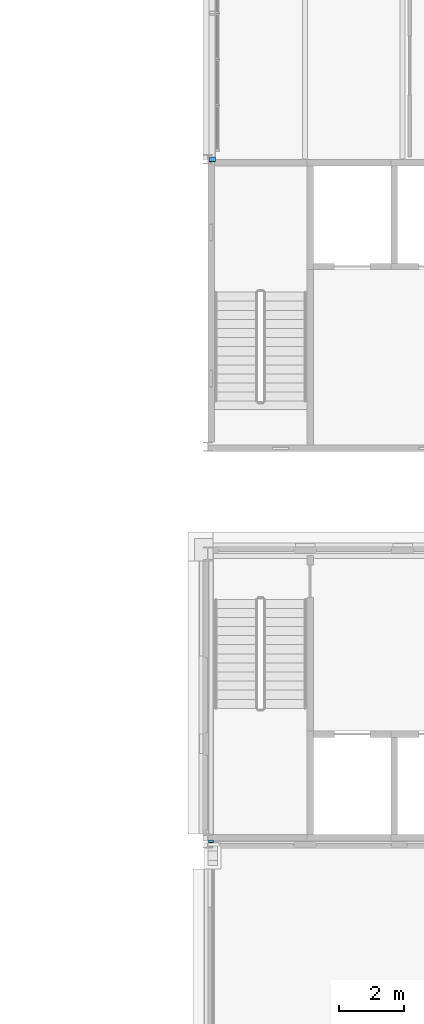
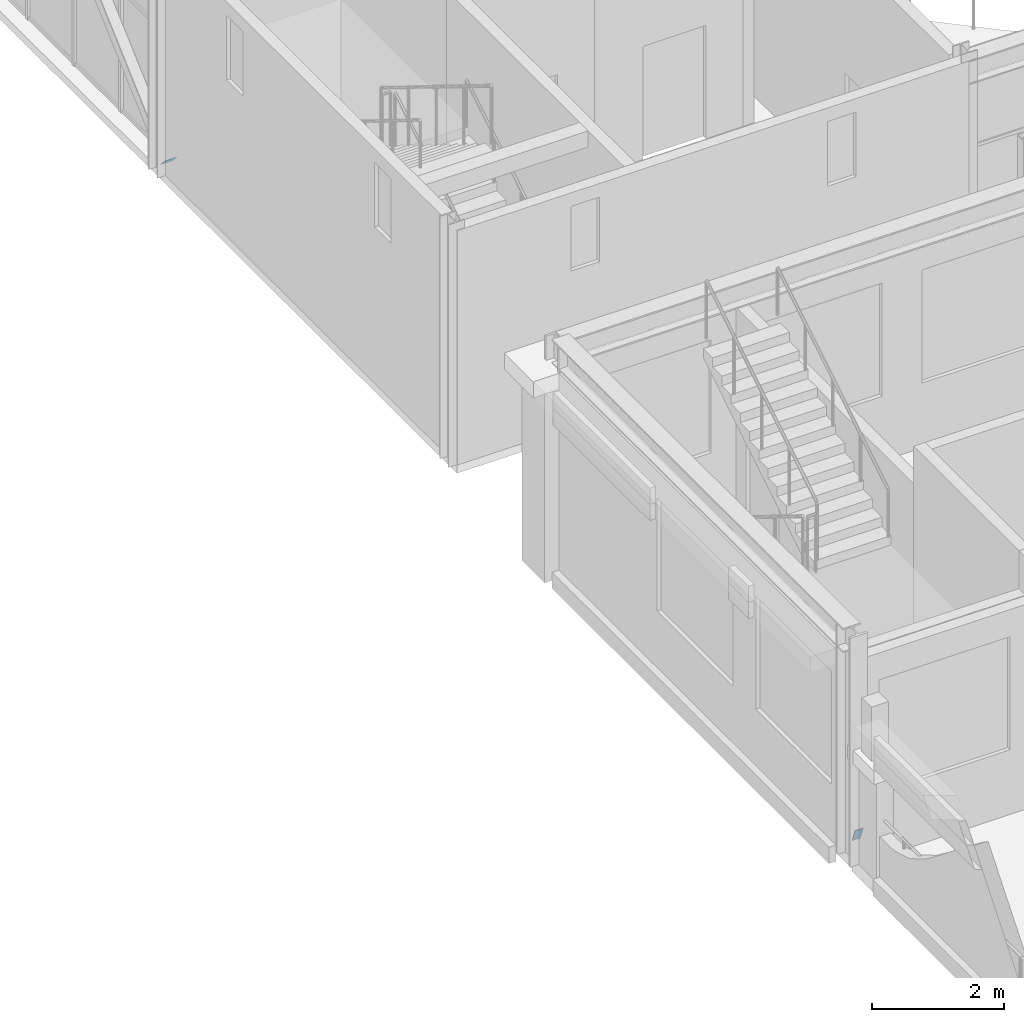
# One storey, part 58 of 70: 2 discrete accessories.
"""IFC4 building model written with IfcOpenShell, lengths in metres."""

from ifc_helpers import new_model, si_unit, direction, frame, origin, origin_2d, place, context, subcontext, project, spatial, rectangle, extrude, material, material_profile, profile_set, type_object, element, save


model = new_model("IFC4")

# Units and contexts
model_context = context("Model", 3, precision=1e-05, world=origin(), true_north=direction((0.0, 1.0)))
body_context = subcontext(model_context, "Body", "Model", "MODEL_VIEW")
ifc_project = project(units=[si_unit("LENGTHUNIT", "METRE"), si_unit("AREAUNIT", "SQUARE_METRE"), si_unit("VOLUMEUNIT", "CUBIC_METRE"), si_unit("PLANEANGLEUNIT", "RADIAN"), si_unit("MASSUNIT", "GRAM", prefix="KILO")], contexts=[model_context])

# Site, building, storey
site_placement = place(None, origin())
site = spatial("IfcSite", under=ifc_project, at=site_placement, CompositionType="ELEMENT")
building_placement = place(site_placement, origin())
building = spatial("IfcBuilding", under=site, at=building_placement, Name="Kallimachos Central Library", CompositionType="ELEMENT")
storey_placement = place(building_placement, frame((0.0, 0.0, 18.89990234375)))
storey = spatial("IfcBuildingStorey", under=building, at=storey_placement, Name="L04", CompositionType="ELEMENT", Elevation=18.89990234375)

# Discrete accessories
ifc_material_1 = material(Name="Steel S355J2", Category="steel")
ifc_material_profile_1 = material_profile(ifc_material_1, rectangle(XDim=0.14990234375, YDim=0.25, at=origin_2d()), Name="End cap plate 10, 150x250")
ifc_profile_set_1 = profile_set([ifc_material_profile_1], Name="Steel S355J2")
discrete_accessory_type_1 = type_object("IfcDiscreteAccessoryType", Name="End cap plate 10, 150x250", PredefinedType="BRACKET", material=ifc_profile_set_1)
discrete_accessory_1_placement = place(storey_placement, frame((65.60009765625, 74.990478515625, 0.396728515625), z_axis=(0.0, 0.941194670762, 0.337864753607), x_axis=(-1.0, 0.0, 0.0)))
element("IfcDiscreteAccessory", 1, at=discrete_accessory_1_placement, inside=storey, type_object=discrete_accessory_type_1, Name="End cap plate", PredefinedType="BRACKET", context=body_context, shape_type="SweptSolid", body=[
    extrude(rectangle(XDim=0.14990234375, YDim=0.25, at=origin_2d()), origin(), (0.0, 0.0, 1.0), 0.010009765625),
])
ifc_material_2 = material(Name="Steel S355J2", Category="steel")
ifc_material_profile_2 = material_profile(ifc_material_2, rectangle(XDim=0.199951171875, YDim=0.199951171875, at=origin_2d()), Name="End cap plate 10, 200x200")
ifc_profile_set_2 = profile_set([ifc_material_profile_2], Name="Steel S355J2")
discrete_accessory_type_2 = type_object("IfcDiscreteAccessoryType", Name="End cap plate 10, 200x200", PredefinedType="BRACKET", material=ifc_profile_set_2)
discrete_accessory_2_placement = place(storey_placement, frame((65.635009765625, 95.99267578125, 0.143310546875), z_axis=(0.0, 0.731055268243, 0.68231825036), x_axis=(-1.0, 0.0, 0.0)))
element("IfcDiscreteAccessory", 2, at=discrete_accessory_2_placement, inside=storey, type_object=discrete_accessory_type_2, Name="End cap plate", PredefinedType="BRACKET", context=body_context, shape_type="SweptSolid", body=[
    extrude(rectangle(XDim=0.199951171875, YDim=0.199951171875, at=origin_2d()), origin(), (0.0, 0.0, 1.0), 0.010009765625),
])

save(model, "model.ifc")
